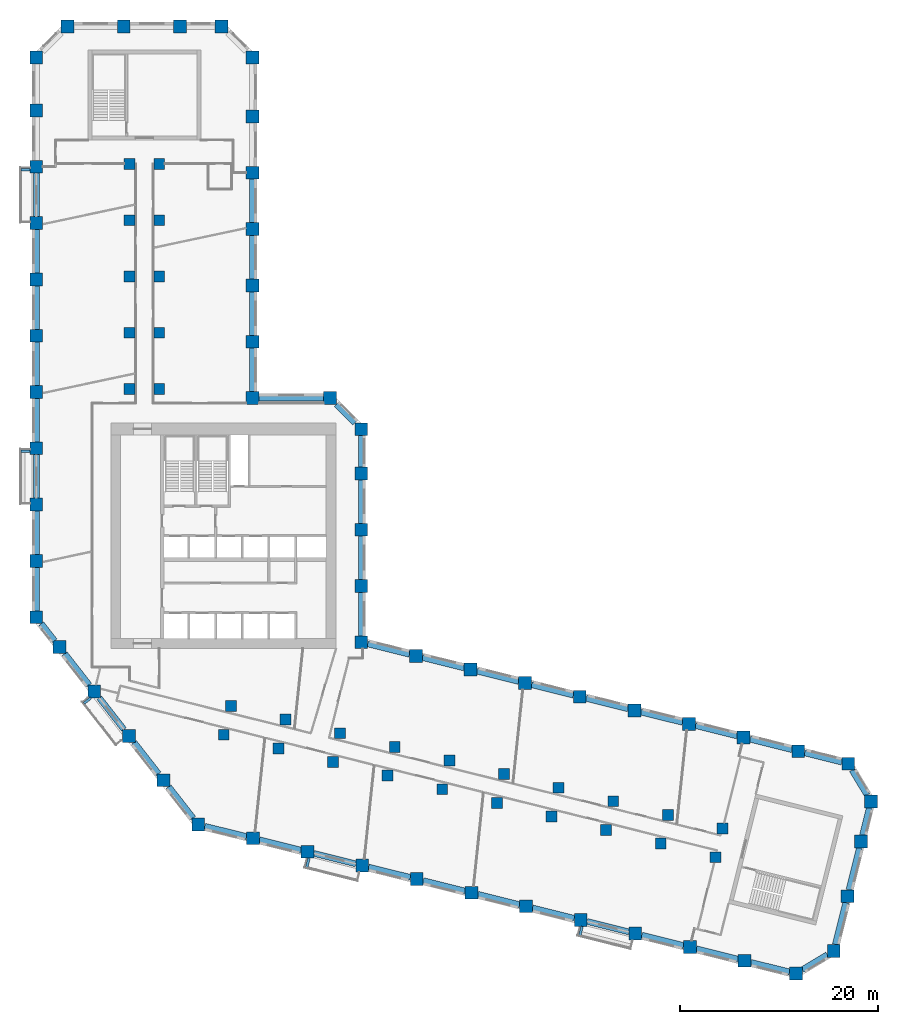
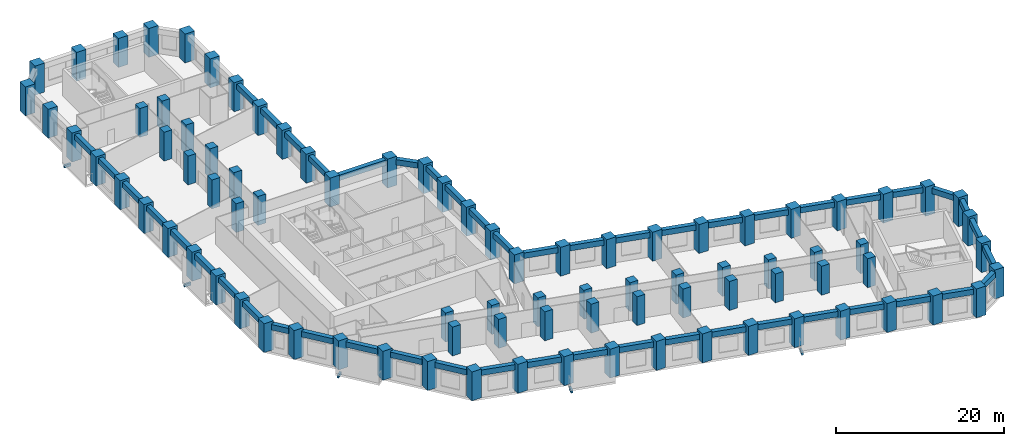
# One storey, part 1 of 11: 87 columns, 53 beams.
"""IFC4 building model written with IfcOpenShell, lengths in metres."""

from ifc_helpers import new_model, si_unit, direction, frame, origin, origin_2d, place, context, subcontext, project, spatial, rectangle, extrude, material, material_profile, profile_set, type_object, element, save


model = new_model("IFC4")

# Units and contexts
model_context = context("Model", 3, precision=1e-05, world=origin(), true_north=direction((0.0, 1.0)))
body_context = subcontext(model_context, "Body", "Model", "MODEL_VIEW")
ifc_project = project(units=[si_unit("LENGTHUNIT", "METRE"), si_unit("AREAUNIT", "SQUARE_METRE"), si_unit("VOLUMEUNIT", "CUBIC_METRE"), si_unit("PLANEANGLEUNIT", "RADIAN"), si_unit("MASSUNIT", "GRAM", prefix="KILO")], contexts=[model_context])

# Site, building, storey
site_placement = place(None, origin())
site = spatial("IfcSite", under=ifc_project, at=site_placement, CompositionType="ELEMENT")
building_placement = place(site_placement, origin())
building = spatial("IfcBuilding", under=site, at=building_placement, Name="Meshkara Civic Tower", CompositionType="ELEMENT")
storey_placement = place(building_placement, frame((0.0, 0.0, 143.39990234375)))
storey = spatial("IfcBuildingStorey", under=building, at=storey_placement, Name="L32", CompositionType="ELEMENT", Elevation=143.39990234375)

# Columns
ifc_material_1 = material(Name="Concrete C70", Category="concrete")
ifc_material_profile_1 = material_profile(ifc_material_1, rectangle(XDim=1.10009765625, YDim=1.10009765625, at=origin_2d()))
ifc_profile_set_1 = profile_set([ifc_material_profile_1], Name="Concrete C70")
column_type_1 = type_object("IfcColumnType", Name="Interior column RC 1100x1100 C70", PredefinedType="COLUMN", material=ifc_profile_set_1)
for number, where, z_axis, x_axis, name in (
    (1, (9.89990234375, 40.35009765625, 0.0), (0.0, 0.0, 1.0), (1.0, 0.0, 0.0), "Column SA1-04 L32"),
    (2, (9.89990234375, 46.050048828125, 0.0), (0.0, 0.0, 1.0), (1.0, 0.0, 0.0), "Column SA1-05 L32"),
    (3, (9.89990234375, 51.75, 0.0), (0.0, 0.0, 1.0), (1.0, 0.0, 0.0), "Column SA1-06 L32"),
    (4, (9.89990234375, 57.449951171875, 0.0), (0.0, 0.0, 1.0), (1.0, 0.0, 0.0), "Column SA1-07 L32"),
    (5, (9.89990234375, 63.14990234375, 0.0), (0.0, 0.0, 1.0), (1.0, 0.0, 0.0), "Column SA1-08 L32"),
    (6, (12.89990234375, 40.35009765625, 0.0), (0.0, 0.0, 1.0), (1.0, 0.0, 0.0), "Column SA2-04 L32"),
    (7, (12.89990234375, 46.050048828125, 0.0), (0.0, 0.0, 1.0), (1.0, 0.0, 0.0), "Column SA2-05 L32"),
    (8, (12.89990234375, 51.75, 0.0), (0.0, 0.0, 1.0), (1.0, 0.0, 0.0), "Column SA2-06 L32"),
    (9, (12.89990234375, 57.449951171875, 0.0), (0.0, 0.0, 1.0), (1.0, 0.0, 0.0), "Column SA2-07 L32"),
    (10, (12.89990234375, 63.14990234375, 0.0), (0.0, 0.0, 1.0), (1.0, 0.0, 0.0), "Column SA2-08 L32"),
    (11, (19.424072265625, 5.360107421875, 0.0), (0.0, 0.0, 1.0), (1.0, 0.0, 0.0), "Column SB1-00 L32"),
    (12, (24.9541015625, 3.98095703125, 0.0), (0.0, 0.0, 1.0), (1.0, 0.0, 0.0), "Column SB1-01 L32"),
    (13, (30.485107421875, 2.60205078125, 0.0), (0.0, 0.0, 1.0), (1.0, 0.0, 0.0), "Column SB1-02 L32"),
    (14, (36.01611328125, 1.222900390625, 0.0), (0.0, 0.0, 1.0), (1.0, 0.0, 0.0), "Column SB1-03 L32"),
    (15, (41.5458984375, -0.156005859375, 0.0), (0.0, 0.0, 1.0), (1.0, 0.0, 0.0), "Column SB1-04 L32"),
    (16, (47.076904296875, -1.534912109375, 0.0), (0.0, 0.0, 1.0), (1.0, 0.0, 0.0), "Column SB1-05 L32"),
    (17, (52.60791015625, -2.9140625, 0.0), (0.0, 0.0, 1.0), (1.0, 0.0, 0.0), "Column SB1-06 L32"),
    (18, (58.138916015625, -4.2919921875, 0.0), (0.0, 0.0, 1.0), (1.0, 0.0, 0.0), "Column SB1-07 L32"),
    (19, (63.6689453125, -5.6708984375, 0.0), (0.0, 0.0, 1.0), (1.0, 0.0, 0.0), "Column SB1-08 L32"),
    (20, (69.199951171875, -7.050048828125, 0.0), (0.0, 0.0, 1.0), (1.0, 0.0, 0.0), "Column SB1-09 L32"),
    (21, (20.14892578125, 8.27099609375, 0.0), (0.0, 0.0, 1.0), (1.0, 0.0, 0.0), "Column SB2-00 L32"),
    (22, (25.679931640625, 6.89208984375, 0.0), (0.0, 0.0, 1.0), (1.0, 0.0, 0.0), "Column SB2-01 L32"),
    (23, (31.2109375, 5.512939453125, 0.0), (0.0, 0.0, 1.0), (1.0, 0.0, 0.0), "Column SB2-02 L32"),
    (24, (36.741943359375, 4.134033203125, 0.0), (0.0, 0.0, 1.0), (1.0, 0.0, 0.0), "Column SB2-03 L32"),
    (25, (42.27197265625, 2.7548828125, 0.0), (0.0, 0.0, 1.0), (1.0, 0.0, 0.0), "Column SB2-04 L32"),
    (26, (47.802978515625, 1.3759765625, 0.0), (0.0, 0.0, 1.0), (1.0, 0.0, 0.0), "Column SB2-05 L32"),
    (27, (53.333984375, -0.0029296875, 0.0), (0.0, 0.0, 1.0), (1.0, 0.0, 0.0), "Column SB2-06 L32"),
    (28, (58.864013671875, -1.382080078125, 0.0), (0.0, 0.0, 1.0), (1.0, 0.0, 0.0), "Column SB2-07 L32"),
    (29, (64.39501953125, -2.760986328125, 0.0), (0.0, 0.0, 1.0), (1.0, 0.0, 0.0), "Column SB2-08 L32"),
    (30, (69.926025390625, -4.139892578125, 0.0), (0.0, 0.0, 1.0), (1.0, 0.0, 0.0), "Column SB2-09 L32"),
):
    element("IfcColumn", number, at=place(storey_placement, frame(where, z_axis=z_axis, x_axis=x_axis)), inside=storey, type_object=column_type_1, Name=name, PredefinedType="COLUMN", context=body_context, shape_type="SweptSolid", body=[
        extrude(rectangle(XDim=1.10009765625, YDim=1.10009765625, at=origin_2d()), origin(), (0.0, 0.0, 1.0), 4.2001953125),
    ])
ifc_material_2 = material(Name="Concrete C70", Category="concrete")
ifc_material_profile_2 = material_profile(ifc_material_2, rectangle(XDim=1.300048828125, YDim=1.300048828125, at=origin_2d()))
ifc_profile_set_2 = profile_set([ifc_material_profile_2], Name="Concrete C70")
column_type_2 = type_object("IfcColumnType", Name="Perimeter column RC 1300x1300 C70", PredefinedType="COLUMN", material=ifc_profile_set_2)
for number, where, z_axis, x_axis, name in (
    (31, (33.35009765625, 14.718994140625, 0.0), (0.0, 0.0, 1.0), (1.0, 0.0, 0.0), "Column HE00 L32"),
    (32, (33.35009765625, 20.4189453125, 0.0), (0.0, 0.0, 1.0), (1.0, 0.0, 0.0), "Column HE01 L32"),
    (33, (33.35009765625, 26.118896484375, 0.0), (0.0, 0.0, 1.0), (1.0, 0.0, 0.0), "Column HE02 L32"),
    (34, (33.35009765625, 31.819091796875, 0.0), (0.0, 0.0, 1.0), (1.0, 0.0, 0.0), "Column HE03 L32"),
    (35, (33.35009765625, 36.2939453125, 0.0), (0.0, 0.0, 1.0), (1.0, 0.0, 0.0), "Column HEE L32"),
    (36, (30.194091796875, 39.449951171875, 0.0), (0.0, 0.0, 1.0), (1.0, 0.0, 0.0), "Column HCeE L32"),
    (37, (22.35009765625, 39.449951171875, 0.0), (0.0, 0.0, 1.0), (1.0, 0.0, 0.0), "Column HN00 L32"),
    (38, (22.35009765625, 45.14990234375, 0.0), (0.0, 0.0, 1.0), (1.0, 0.0, 0.0), "Column AE01 L32"),
    (39, (22.35009765625, 50.85009765625, 0.0), (0.0, 0.0, 1.0), (1.0, 0.0, 0.0), "Column AE02 L32"),
    (40, (22.35009765625, 56.550048828125, 0.0), (0.0, 0.0, 1.0), (1.0, 0.0, 0.0), "Column AE03 L32"),
    (41, (22.35009765625, 62.25, 0.0), (0.0, 0.0, 1.0), (1.0, 0.0, 0.0), "Column AE04 L32"),
    (42, (22.35009765625, 67.949951171875, 0.0), (0.0, 0.0, 1.0), (1.0, 0.0, 0.0), "Column AE05 L32"),
    (43, (22.35009765625, 73.9140625, 0.0), (0.0, 0.0, 1.0), (1.0, 0.0, 0.0), "Column AEEP1 L32"),
    (44, (19.194091796875, 77.070068359375, 0.0), (0.0, 0.0, 1.0), (1.0, 0.0, 0.0), "Column ATiEP1 L32"),
    (45, (3.60595703125, 77.070068359375, 0.0), (0.0, 0.0, 1.0), (1.0, 0.0, 0.0), "Column AT00-P1 L32"),
    (46, (9.305908203125, 77.070068359375, 0.0), (0.0, 0.0, 1.0), (1.0, 0.0, 0.0), "Column AT01-P1 L32"),
    (47, (15.006103515625, 77.070068359375, 0.0), (0.0, 0.0, 1.0), (1.0, 0.0, 0.0), "Column AT02-P1 L32"),
    (48, (0.449951171875, 73.9140625, 0.0), (0.0, 0.0, 1.0), (1.0, 0.0, 0.0), "Column ATo00-P1 L32"),
    (49, (0.449951171875, 17.2548828125, 0.0), (0.0, 0.0, 1.0), (1.0, 0.0, 0.0), "Column AW00 L32"),
    (50, (0.449951171875, 22.955078125, 0.0), (0.0, 0.0, 1.0), (1.0, 0.0, 0.0), "Column AW01 L32"),
    (51, (0.449951171875, 28.655029296875, 0.0), (0.0, 0.0, 1.0), (1.0, 0.0, 0.0), "Column AW02 L32"),
    (52, (0.449951171875, 34.35498046875, 0.0), (0.0, 0.0, 1.0), (1.0, 0.0, 0.0), "Column AW03 L32"),
    (53, (0.449951171875, 40.054931640625, 0.0), (0.0, 0.0, 1.0), (1.0, 0.0, 0.0), "Column AW04 L32"),
    (54, (0.449951171875, 45.7548828125, 0.0), (0.0, 0.0, 1.0), (1.0, 0.0, 0.0), "Column AW05 L32"),
    (55, (0.449951171875, 51.455078125, 0.0), (0.0, 0.0, 1.0), (1.0, 0.0, 0.0), "Column AW06 L32"),
    (56, (0.449951171875, 57.155029296875, 0.0), (0.0, 0.0, 1.0), (1.0, 0.0, 0.0), "Column AW07 L32"),
    (57, (0.449951171875, 62.85498046875, 0.0), (0.0, 0.0, 1.0), (1.0, 0.0, 0.0), "Column AW08 L32"),
    (58, (0.449951171875, 68.554931640625, 0.0), (0.0, 0.0, 1.0), (1.0, 0.0, 0.0), "Column AW09 L32"),
    (59, (16.85107421875, -3.738037109375, 0.0), (0.0, 0.0, 1.0), (1.0, 0.0, 0.0), "Column BOW00 L32"),
    (60, (13.342041015625, 0.75390625, 0.0), (0.0, 0.0, 1.0), (1.0, 0.0, 0.0), "Column BOW01 L32"),
    (61, (9.8330078125, 5.2451171875, 0.0), (0.0, 0.0, 1.0), (1.0, 0.0, 0.0), "Column BOW02 L32"),
    (62, (6.322998046875, 9.737060546875, 0.0), (0.0, 0.0, 1.0), (1.0, 0.0, 0.0), "Column BOW03 L32"),
    (63, (2.81396484375, 14.22900390625, 0.0), (0.0, 0.0, 1.0), (1.0, 0.0, 0.0), "Column BOW04 L32"),
    (64, (22.382080078125, -5.116943359375, 0.0), (0.0, 0.0, 1.0), (1.0, 0.0, 0.0), "Column BS01 L32"),
    (65, (27.912109375, -6.49609375, 0.0), (0.0, 0.0, 1.0), (1.0, 0.0, 0.0), "Column BS02 L32"),
    (66, (33.443115234375, -7.875, 0.0), (0.0, 0.0, 1.0), (1.0, 0.0, 0.0), "Column BS03 L32"),
    (67, (38.97412109375, -9.2529296875, 0.0), (0.0, 0.0, 1.0), (1.0, 0.0, 0.0), "Column BS04-P1 L32"),
    (68, (44.5048828125, -10.632080078125, 0.0), (0.0, 0.0, 1.0), (1.0, 0.0, 0.0), "Column BS05 L32"),
    (69, (50.034912109375, -12.010986328125, 0.0), (0.0, 0.0, 1.0), (1.0, 0.0, 0.0), "Column BS06 L32"),
    (70, (55.56591796875, -13.389892578125, 0.0), (0.0, 0.0, 1.0), (1.0, 0.0, 0.0), "Column BS07 L32"),
    (71, (61.096923828125, -14.76904296875, 0.0), (0.0, 0.0, 1.0), (1.0, 0.0, 0.0), "Column BS08 L32"),
    (72, (66.626953125, -16.14794921875, 0.0), (0.0, 0.0, 1.0), (1.0, 0.0, 0.0), "Column BS09 L32"),
    (73, (72.157958984375, -17.527099609375, 0.0), (0.0, 0.0, 1.0), (1.0, 0.0, 0.0), "Column BS10 L32"),
    (74, (77.35791015625, -18.822998046875, 0.0), (0.0, 0.0, 1.0), (1.0, 0.0, 0.0), "Column BSEP1 L32"),
    (75, (81.18310546875, -16.52392578125, 0.0), (0.0, 0.0, 1.0), (1.0, 0.0, 0.0), "Column BToEP1 L32"),
    (76, (82.56201171875, -10.992919921875, 0.0), (0.0, 0.0, 1.0), (1.0, 0.0, 0.0), "Column BT01-P1 L32"),
    (77, (83.94091796875, -5.462890625, 0.0), (0.0, 0.0, 1.0), (1.0, 0.0, 0.0), "Column BT02-P1 L32"),
    (78, (84.9541015625, -1.39990234375, 0.0), (0.0, 0.0, 1.0), (1.0, 0.0, 0.0), "Column BTEP1 L32"),
    (79, (82.655029296875, 2.425048828125, 0.0), (0.0, 0.0, 1.0), (1.0, 0.0, 0.0), "Column BTi00-P1 L32"),
    (80, (38.881103515625, 13.340087890625, 0.0), (0.0, 0.0, 1.0), (1.0, 0.0, 0.0), "Column BN01 L32"),
    (81, (44.410888671875, 11.9609375, 0.0), (0.0, 0.0, 1.0), (1.0, 0.0, 0.0), "Column BN02 L32"),
    (82, (49.94189453125, 10.58203125, 0.0), (0.0, 0.0, 1.0), (1.0, 0.0, 0.0), "Column BN03 L32"),
    (83, (55.472900390625, 9.202880859375, 0.0), (0.0, 0.0, 1.0), (1.0, 0.0, 0.0), "Column BN04 L32"),
    (84, (61.0029296875, 7.823974609375, 0.0), (0.0, 0.0, 1.0), (1.0, 0.0, 0.0), "Column BN05 L32"),
    (85, (66.533935546875, 6.445068359375, 0.0), (0.0, 0.0, 1.0), (1.0, 0.0, 0.0), "Column BN06 L32"),
    (86, (72.06494140625, 5.06591796875, 0.0), (0.0, 0.0, 1.0), (1.0, 0.0, 0.0), "Column BN07 L32"),
    (87, (77.594970703125, 3.68701171875, 0.0), (0.0, 0.0, 1.0), (1.0, 0.0, 0.0), "Column BN08 L32"),
):
    element("IfcColumn", number, at=place(storey_placement, frame(where, z_axis=z_axis, x_axis=x_axis)), inside=storey, type_object=column_type_2, Name=name, PredefinedType="COLUMN", context=body_context, shape_type="SweptSolid", body=[
        extrude(rectangle(XDim=1.300048828125, YDim=1.300048828125, at=origin_2d()), origin(), (0.0, 0.0, 1.0), 4.2001953125),
    ])

# Beams
ifc_material_3 = material(Name="Concrete C50", Category="concrete")
ifc_material_profile_3 = material_profile(ifc_material_3, rectangle(XDim=0.25, YDim=0.39990234375, at=origin_2d()))
ifc_profile_set_3 = profile_set([ifc_material_profile_3], Name="Concrete C50")
beam_type_1 = type_object("IfcBeamType", Name="Balcony bracket beam RC 250x400 C50", PredefinedType="BEAM", material=ifc_profile_set_3)
for number, where, z_axis, x_axis, name in (
    (88, (-0.195068359375, 62.554931640625, -0.5), (-1.0, 0.0, 0.0), (0.0, -1.0, 0.0), "Balcony bracket beam"),
    (89, (-0.195068359375, 34.054931640625, -0.5), (-1.0, 0.0, 0.0), (0.0, -1.0, 0.0), "Balcony bracket beam"),
):
    element("IfcBeam", number, at=place(storey_placement, frame(where, z_axis=z_axis, x_axis=x_axis)), inside=storey, type_object=beam_type_1, Name=name, PredefinedType="BEAM", context=body_context, shape_type="SweptSolid", body=[
        extrude(rectangle(XDim=0.25, YDim=0.39990234375, at=origin_2d()), origin(), (0.0, 0.0, 1.0), 0.905029296875),
    ])
beam_1_placement = place(storey_placement, frame((5.98193359375, 9.090087890625, -0.5), z_axis=(-0.787948814224, -0.615740745901, 0.0), x_axis=(0.615740745901, -0.787948814224, 0.0)))
element("IfcBeam", 90, at=beam_1_placement, inside=storey, type_object=beam_type_1, Name="Balcony bracket beam", PredefinedType="BEAM", context=body_context, shape_type="SweptSolid", body=[
    extrude(rectangle(XDim=0.25, YDim=0.39990234375, at=origin_2d()), origin(), (0.0, 0.0, 1.0), 0.8818359375),
])
beam_2_placement = place(storey_placement, frame((28.06005859375, -7.14111328125, -0.5), z_axis=(-0.24199671944, -0.970277067533, 0.0), x_axis=(0.970277067533, -0.24199671944, 0.0)))
element("IfcBeam", 91, at=beam_2_placement, inside=storey, type_object=beam_type_1, Name="Balcony bracket beam", PredefinedType="BEAM", context=body_context, shape_type="SweptSolid", body=[
    extrude(rectangle(XDim=0.25, YDim=0.39990234375, at=origin_2d()), origin(), (0.0, 0.0, 1.0), 0.95947265625),
])
beam_3_placement = place(storey_placement, frame((55.714111328125, -14.034912109375, -0.5), z_axis=(-0.24169832891, -0.970351440357, 0.0), x_axis=(0.970351440357, -0.24169832891, 0.0)))
element("IfcBeam", 92, at=beam_3_placement, inside=storey, type_object=beam_type_1, Name="Balcony bracket beam", PredefinedType="BEAM", context=body_context, shape_type="SweptSolid", body=[
    extrude(rectangle(XDim=0.25, YDim=0.39990234375, at=origin_2d()), origin(), (0.0, 0.0, 1.0), 0.960693359375),
])
ifc_material_4 = material(Name="Concrete C70", Category="concrete")
ifc_material_profile_4 = material_profile(ifc_material_4, rectangle(XDim=0.60009765625, YDim=0.800048828125, at=origin_2d()))
ifc_profile_set_4 = profile_set([ifc_material_profile_4], Name="Concrete C70")
beam_type_2 = type_object("IfcBeamType", Name="Spandrel beam RC 600x800 C70", PredefinedType="BEAM", material=ifc_profile_set_4)
beam_4_placement = place(storey_placement, frame((76.949951171875, 3.847900390625, 3.5), z_axis=(-0.970293497888, 0.241930832999, 0.0), x_axis=(-0.241930832999, -0.970293497888, 0.0)))
element("IfcBeam", 93, at=beam_4_placement, inside=storey, type_object=beam_type_2, Name="Spandrel beam BN07-BN08", PredefinedType="BEAM", context=body_context, shape_type="SweptSolid", body=[
    extrude(rectangle(XDim=0.60009765625, YDim=0.800048828125, at=origin_2d()), origin(), (0.0, 0.0, 1.0), 4.36962890625),
])
for number, where, z_axis, x_axis, name in (
    (94, (71.419921875, 5.226806640625, 3.5), (-0.970293463154, 0.241930972304, 0.0), (-0.241930972304, -0.970293463154, 0.0), "Spandrel beam BN06-BN07"),
    (95, (65.888916015625, 6.605712890625, 3.5), (-0.970293463154, 0.241930972304, 0.0), (-0.241930972304, -0.970293463154, 0.0), "Spandrel beam BN05-BN06"),
):
    element("IfcBeam", number, at=place(storey_placement, frame(where, z_axis=z_axis, x_axis=x_axis)), inside=storey, type_object=beam_type_2, Name=name, PredefinedType="BEAM", context=body_context, shape_type="SweptSolid", body=[
        extrude(rectangle(XDim=0.60009765625, YDim=0.800048828125, at=origin_2d()), origin(), (0.0, 0.0, 1.0), 4.37060546875),
    ])
beam_5_placement = place(storey_placement, frame((60.35791015625, 7.98486328125, 3.5), z_axis=(-0.970293497888, 0.241930832999, 0.0), x_axis=(-0.241930832999, -0.970293497888, 0.0)))
element("IfcBeam", 96, at=beam_5_placement, inside=storey, type_object=beam_type_2, Name="Spandrel beam BN04-BN05", PredefinedType="BEAM", context=body_context, shape_type="SweptSolid", body=[
    extrude(rectangle(XDim=0.60009765625, YDim=0.800048828125, at=origin_2d()), origin(), (0.0, 0.0, 1.0), 4.36962890625),
])
for number, where, z_axis, x_axis, name in (
    (97, (54.827880859375, 9.36376953125, 3.5), (-0.970293463154, 0.241930972304, 0.0), (-0.241930972304, -0.970293463154, 0.0), "Spandrel beam BN03-BN04"),
    (98, (49.296875, 10.742919921875, 3.5), (-0.970293463154, 0.241930972304, 0.0), (-0.241930972304, -0.970293463154, 0.0), "Spandrel beam BN02-BN03"),
):
    element("IfcBeam", number, at=place(storey_placement, frame(where, z_axis=z_axis, x_axis=x_axis)), inside=storey, type_object=beam_type_2, Name=name, PredefinedType="BEAM", context=body_context, shape_type="SweptSolid", body=[
        extrude(rectangle(XDim=0.60009765625, YDim=0.800048828125, at=origin_2d()), origin(), (0.0, 0.0, 1.0), 4.37060546875),
    ])
beam_6_placement = place(storey_placement, frame((43.765869140625, 12.121826171875, 3.5), z_axis=(-0.970280380753, 0.241983434817, 0.0), x_axis=(-0.241983434817, -0.970280380753, 0.0)))
element("IfcBeam", 99, at=beam_6_placement, inside=storey, type_object=beam_type_2, Name="Spandrel beam BN01-BN02", PredefinedType="BEAM", context=body_context, shape_type="SweptSolid", body=[
    extrude(rectangle(XDim=0.60009765625, YDim=0.800048828125, at=origin_2d()), origin(), (0.0, 0.0, 1.0), 4.36962890625),
])
beam_7_placement = place(storey_placement, frame((38.23583984375, 13.500732421875, 3.5), z_axis=(-0.970293463154, 0.241930972304, 0.0), x_axis=(-0.241930972304, -0.970293463154, 0.0)))
element("IfcBeam", 100, at=beam_7_placement, inside=storey, type_object=beam_type_2, Name="Spandrel beam BN01-HE00", PredefinedType="BEAM", context=body_context, shape_type="SweptSolid", body=[
    extrude(rectangle(XDim=0.60009765625, YDim=0.800048828125, at=origin_2d()), origin(), (0.0, 0.0, 1.0), 4.37060546875),
])
beam_8_placement = place(storey_placement, frame((33.35009765625, 15.364013671875, 3.5), z_axis=(0.0, 1.0, 0.0), x_axis=(-1.0, 0.0, 0.0)))
element("IfcBeam", 101, at=beam_8_placement, inside=storey, type_object=beam_type_2, Name="Spandrel beam HE00-HE01", PredefinedType="BEAM", context=body_context, shape_type="SweptSolid", body=[
    extrude(rectangle(XDim=0.60009765625, YDim=0.800048828125, at=origin_2d()), origin(), (0.0, 0.0, 1.0), 4.409912109375),
])
for number, where, z_axis, x_axis, name in (
    (102, (33.35009765625, 21.06396484375, 3.5), (0.0, 1.0, 0.0), (-1.0, 0.0, 0.0), "Spandrel beam HE01-HE02"),
    (103, (33.35009765625, 26.763916015625, 3.5), (0.0, 1.0, 0.0), (-1.0, 0.0, 0.0), "Spandrel beam HE02-HE03"),
):
    element("IfcBeam", number, at=place(storey_placement, frame(where, z_axis=z_axis, x_axis=x_axis)), inside=storey, type_object=beam_type_2, Name=name, PredefinedType="BEAM", context=body_context, shape_type="SweptSolid", body=[
        extrude(rectangle(XDim=0.60009765625, YDim=0.800048828125, at=origin_2d()), origin(), (0.0, 0.0, 1.0), 4.41015625),
    ])
beam_9_placement = place(storey_placement, frame((33.35009765625, 32.464111328125, 3.5), z_axis=(0.0, 1.0, 0.0), x_axis=(-1.0, 0.0, 0.0)))
element("IfcBeam", 104, at=beam_9_placement, inside=storey, type_object=beam_type_2, Name="Spandrel beam HE03-HEE", PredefinedType="BEAM", context=body_context, shape_type="SweptSolid", body=[
    extrude(rectangle(XDim=0.60009765625, YDim=0.800048828125, at=origin_2d()), origin(), (0.0, 0.0, 1.0), 3.184814453125),
])
beam_10_placement = place(storey_placement, frame((32.70361328125, 36.9404296875, 3.5), z_axis=(-0.707106781187, 0.707106781187, 0.0), x_axis=(-0.707106781187, -0.707106781187, 0.0)))
element("IfcBeam", 105, at=beam_10_placement, inside=storey, type_object=beam_type_2, Name="Spandrel beam HCeE-HEE", PredefinedType="BEAM", context=body_context, shape_type="SweptSolid", body=[
    extrude(rectangle(XDim=0.60009765625, YDim=0.800048828125, at=origin_2d()), origin(), (0.0, 0.0, 1.0), 2.634765625),
])
beam_11_placement = place(storey_placement, frame((29.549072265625, 39.449951171875, 3.5), z_axis=(-1.0, 0.0, 0.0), x_axis=(0.0, -1.0, 0.0)))
element("IfcBeam", 106, at=beam_11_placement, inside=storey, type_object=beam_type_2, Name="Spandrel beam HCeE-HN00", PredefinedType="BEAM", context=body_context, shape_type="SweptSolid", body=[
    extrude(rectangle(XDim=0.60009765625, YDim=0.800048828125, at=origin_2d()), origin(), (0.0, 0.0, 1.0), 6.553955078125),
])
beam_12_placement = place(storey_placement, frame((22.35009765625, 40.094970703125, 3.5), z_axis=(0.0, 1.0, 0.0), x_axis=(-1.0, 0.0, 0.0)))
element("IfcBeam", 107, at=beam_12_placement, inside=storey, type_object=beam_type_2, Name="Spandrel beam AE01-HN00", PredefinedType="BEAM", context=body_context, shape_type="SweptSolid", body=[
    extrude(rectangle(XDim=0.60009765625, YDim=0.800048828125, at=origin_2d()), origin(), (0.0, 0.0, 1.0), 4.409912109375),
])
beam_13_placement = place(storey_placement, frame((22.35009765625, 45.794921875, 3.5), z_axis=(0.0, 1.0, 0.0), x_axis=(-1.0, 0.0, 0.0)))
element("IfcBeam", 108, at=beam_13_placement, inside=storey, type_object=beam_type_2, Name="Spandrel beam AE01-AE02", PredefinedType="BEAM", context=body_context, shape_type="SweptSolid", body=[
    extrude(rectangle(XDim=0.60009765625, YDim=0.800048828125, at=origin_2d()), origin(), (0.0, 0.0, 1.0), 4.41015625),
])
for number, where, z_axis, x_axis, name in (
    (109, (22.35009765625, 51.4951171875, 3.5), (0.0, 1.0, 0.0), (-1.0, 0.0, 0.0), "Spandrel beam AE02-AE03"),
    (110, (22.35009765625, 57.195068359375, 3.5), (0.0, 1.0, 0.0), (-1.0, 0.0, 0.0), "Spandrel beam AE03-AE04"),
    (111, (0.449951171875, 62.2099609375, 3.5), (0.0, -1.0, 0.0), (1.0, 0.0, 0.0), "Spandrel beam AW07-AW08"),
    (112, (0.449951171875, 56.510009765625, 3.5), (0.0, -1.0, 0.0), (1.0, 0.0, 0.0), "Spandrel beam AW06-AW07"),
):
    element("IfcBeam", number, at=place(storey_placement, frame(where, z_axis=z_axis, x_axis=x_axis)), inside=storey, type_object=beam_type_2, Name=name, PredefinedType="BEAM", context=body_context, shape_type="SweptSolid", body=[
        extrude(rectangle(XDim=0.60009765625, YDim=0.800048828125, at=origin_2d()), origin(), (0.0, 0.0, 1.0), 4.409912109375),
    ])
for number, where, z_axis, x_axis, name in (
    (113, (0.449951171875, 50.81005859375, 3.5), (0.0, -1.0, 0.0), (1.0, 0.0, 0.0), "Spandrel beam AW05-AW06"),
    (114, (0.449951171875, 45.110107421875, 3.5), (0.0, -1.0, 0.0), (1.0, 0.0, 0.0), "Spandrel beam AW04-AW05"),
):
    element("IfcBeam", number, at=place(storey_placement, frame(where, z_axis=z_axis, x_axis=x_axis)), inside=storey, type_object=beam_type_2, Name=name, PredefinedType="BEAM", context=body_context, shape_type="SweptSolid", body=[
        extrude(rectangle(XDim=0.60009765625, YDim=0.800048828125, at=origin_2d()), origin(), (0.0, 0.0, 1.0), 4.41015625),
    ])
for number, where, z_axis, x_axis, name in (
    (115, (0.449951171875, 39.409912109375, 3.5), (0.0, -1.0, 0.0), (1.0, 0.0, 0.0), "Spandrel beam AW03-AW04"),
    (116, (0.449951171875, 33.7099609375, 3.5), (0.0, -1.0, 0.0), (1.0, 0.0, 0.0), "Spandrel beam AW02-AW03"),
    (117, (0.449951171875, 28.010009765625, 3.5), (0.0, -1.0, 0.0), (1.0, 0.0, 0.0), "Spandrel beam AW01-AW02"),
):
    element("IfcBeam", number, at=place(storey_placement, frame(where, z_axis=z_axis, x_axis=x_axis)), inside=storey, type_object=beam_type_2, Name=name, PredefinedType="BEAM", context=body_context, shape_type="SweptSolid", body=[
        extrude(rectangle(XDim=0.60009765625, YDim=0.800048828125, at=origin_2d()), origin(), (0.0, 0.0, 1.0), 4.409912109375),
    ])
beam_14_placement = place(storey_placement, frame((0.449951171875, 22.31005859375, 3.5), z_axis=(0.0, -1.0, 0.0), x_axis=(1.0, 0.0, 0.0)))
element("IfcBeam", 118, at=beam_14_placement, inside=storey, type_object=beam_type_2, Name="Spandrel beam AW00-AW01", PredefinedType="BEAM", context=body_context, shape_type="SweptSolid", body=[
    extrude(rectangle(XDim=0.60009765625, YDim=0.800048828125, at=origin_2d()), origin(), (0.0, 0.0, 1.0), 4.41015625),
])
beam_15_placement = place(storey_placement, frame((0.95458984375, 16.60888671875, 3.5), z_axis=(0.61568279769, -0.787994094286, 0.0), x_axis=(0.787994094286, 0.61568279769, 0.0)))
element("IfcBeam", 119, at=beam_15_placement, inside=storey, type_object=beam_type_2, Name="Spandrel beam AW00-BOW04", PredefinedType="BEAM", context=body_context, shape_type="SweptSolid", body=[
    extrude(rectangle(XDim=0.60009765625, YDim=0.800048828125, at=origin_2d()), origin(), (0.0, 0.0, 1.0), 2.200439453125),
])
beam_16_placement = place(storey_placement, frame((3.318603515625, 13.5830078125, 3.5), z_axis=(0.615612539127, -0.788048984309, 0.0), x_axis=(0.788048984309, 0.615612539127, 0.0)))
element("IfcBeam", 120, at=beam_16_placement, inside=storey, type_object=beam_type_2, Name="Spandrel beam BOW03-BOW04", PredefinedType="BEAM", context=body_context, shape_type="SweptSolid", body=[
    extrude(rectangle(XDim=0.60009765625, YDim=0.800048828125, at=origin_2d()), origin(), (0.0, 0.0, 1.0), 4.060546875),
])
beam_17_placement = place(storey_placement, frame((6.827880859375, 9.0908203125, 3.5), z_axis=(0.615716376188, -0.787967857272, 0.0), x_axis=(0.787967857272, 0.615716376188, 0.0)))
element("IfcBeam", 121, at=beam_17_placement, inside=storey, type_object=beam_type_2, Name="Spandrel beam BOW02-BOW03", PredefinedType="BEAM", context=body_context, shape_type="SweptSolid", body=[
    extrude(rectangle(XDim=0.60009765625, YDim=0.800048828125, at=origin_2d()), origin(), (0.0, 0.0, 1.0), 4.060791015625),
])
beam_18_placement = place(storey_placement, frame((10.337890625, 4.598876953125, 3.5), z_axis=(0.61568372316, -0.787993371188, 0.0), x_axis=(0.787993371188, 0.61568372316, 0.0)))
element("IfcBeam", 122, at=beam_18_placement, inside=storey, type_object=beam_type_2, Name="Spandrel beam BOW01-BOW02", PredefinedType="BEAM", context=body_context, shape_type="SweptSolid", body=[
    extrude(rectangle(XDim=0.60009765625, YDim=0.800048828125, at=origin_2d()), origin(), (0.0, 0.0, 1.0), 4.059326171875),
])
beam_19_placement = place(storey_placement, frame((13.8466796875, 0.10791015625, 3.5), z_axis=(0.615604368214, -0.78805536724, 0.0), x_axis=(0.78805536724, 0.615604368214, 0.0)))
element("IfcBeam", 123, at=beam_19_placement, inside=storey, type_object=beam_type_2, Name="Spandrel beam BOW00-BOW01", PredefinedType="BEAM", context=body_context, shape_type="SweptSolid", body=[
    extrude(rectangle(XDim=0.60009765625, YDim=0.800048828125, at=origin_2d()), origin(), (0.0, 0.0, 1.0), 4.060302734375),
])
beam_20_placement = place(storey_placement, frame((17.49609375, -3.898681640625, 3.5), z_axis=(0.970280349033, -0.241983562004, 0.0), x_axis=(0.241983562004, 0.970280349033, 0.0)))
element("IfcBeam", 124, at=beam_20_placement, inside=storey, type_object=beam_type_2, Name="Spandrel beam BOW00-BS01", PredefinedType="BEAM", context=body_context, shape_type="SweptSolid", body=[
    extrude(rectangle(XDim=0.60009765625, YDim=0.800048828125, at=origin_2d()), origin(), (0.0, 0.0, 1.0), 4.37060546875),
])
beam_21_placement = place(storey_placement, frame((23.027099609375, -5.27783203125, 3.5), z_axis=(0.970280380753, -0.241983434817, 0.0), x_axis=(0.241983434817, 0.970280380753, 0.0)))
element("IfcBeam", 125, at=beam_21_placement, inside=storey, type_object=beam_type_2, Name="Spandrel beam BS01-BS02", PredefinedType="BEAM", context=body_context, shape_type="SweptSolid", body=[
    extrude(rectangle(XDim=0.60009765625, YDim=0.800048828125, at=origin_2d()), origin(), (0.0, 0.0, 1.0), 4.36962890625),
])
beam_22_placement = place(storey_placement, frame((28.55712890625, -6.65673828125, 3.5), z_axis=(0.970293463154, -0.241930972304, 0.0), x_axis=(0.241930972304, 0.970293463154, 0.0)))
element("IfcBeam", 126, at=beam_22_placement, inside=storey, type_object=beam_type_2, Name="Spandrel beam BS02-BS03", PredefinedType="BEAM", context=body_context, shape_type="SweptSolid", body=[
    extrude(rectangle(XDim=0.60009765625, YDim=0.800048828125, at=origin_2d()), origin(), (0.0, 0.0, 1.0), 4.37060546875),
])
beam_23_placement = place(storey_placement, frame((34.088134765625, -8.03564453125, 3.5), z_axis=(0.97033279054, -0.241773190412, 0.0), x_axis=(0.241773190412, 0.97033279054, 0.0)))
element("IfcBeam", 127, at=beam_23_placement, inside=storey, type_object=beam_type_2, Name="Spandrel beam BS03-BS04-P1", PredefinedType="BEAM", context=body_context, shape_type="SweptSolid", body=[
    extrude(rectangle(XDim=0.60009765625, YDim=0.800048828125, at=origin_2d()), origin(), (0.0, 0.0, 1.0), 4.370361328125),
])
beam_24_placement = place(storey_placement, frame((39.619140625, -9.413818359375, 3.5), z_axis=(0.970293463154, -0.241930972304, 0.0), x_axis=(0.241930972304, 0.970293463154, 0.0)))
element("IfcBeam", 128, at=beam_24_placement, inside=storey, type_object=beam_type_2, Name="Spandrel beam BS04-P1-BS05", PredefinedType="BEAM", context=body_context, shape_type="SweptSolid", body=[
    extrude(rectangle(XDim=0.60009765625, YDim=0.800048828125, at=origin_2d()), origin(), (0.0, 0.0, 1.0), 4.37060546875),
])
beam_25_placement = place(storey_placement, frame((45.150146484375, -10.79296875, 3.5), z_axis=(0.970293497888, -0.241930832999, 0.0), x_axis=(0.241930832999, 0.970293497888, 0.0)))
element("IfcBeam", 129, at=beam_25_placement, inside=storey, type_object=beam_type_2, Name="Spandrel beam BS05-BS06", PredefinedType="BEAM", context=body_context, shape_type="SweptSolid", body=[
    extrude(rectangle(XDim=0.60009765625, YDim=0.800048828125, at=origin_2d()), origin(), (0.0, 0.0, 1.0), 4.36962890625),
])
for number, where, z_axis, x_axis, name in (
    (130, (50.68017578125, -12.171875, 3.5), (0.970293463154, -0.241930972304, 0.0), (0.241930972304, 0.970293463154, 0.0), "Spandrel beam BS06-BS07"),
    (131, (56.211181640625, -13.55078125, 3.5), (0.970293463154, -0.241930972304, 0.0), (0.241930972304, 0.970293463154, 0.0), "Spandrel beam BS07-BS08"),
):
    element("IfcBeam", number, at=place(storey_placement, frame(where, z_axis=z_axis, x_axis=x_axis)), inside=storey, type_object=beam_type_2, Name=name, PredefinedType="BEAM", context=body_context, shape_type="SweptSolid", body=[
        extrude(rectangle(XDim=0.60009765625, YDim=0.800048828125, at=origin_2d()), origin(), (0.0, 0.0, 1.0), 4.37060546875),
    ])
beam_26_placement = place(storey_placement, frame((61.7421875, -14.929931640625, 3.5), z_axis=(0.970293497888, -0.241930832999, 0.0), x_axis=(0.241930832999, 0.970293497888, 0.0)))
element("IfcBeam", 132, at=beam_26_placement, inside=storey, type_object=beam_type_2, Name="Spandrel beam BS08-BS09", PredefinedType="BEAM", context=body_context, shape_type="SweptSolid", body=[
    extrude(rectangle(XDim=0.60009765625, YDim=0.800048828125, at=origin_2d()), origin(), (0.0, 0.0, 1.0), 4.36962890625),
])
beam_27_placement = place(storey_placement, frame((67.272216796875, -16.308837890625, 3.5), z_axis=(0.970293463154, -0.241930972304, 0.0), x_axis=(0.241930972304, 0.970293463154, 0.0)))
element("IfcBeam", 133, at=beam_27_placement, inside=storey, type_object=beam_type_2, Name="Spandrel beam BS09-BS10", PredefinedType="BEAM", context=body_context, shape_type="SweptSolid", body=[
    extrude(rectangle(XDim=0.60009765625, YDim=0.800048828125, at=origin_2d()), origin(), (0.0, 0.0, 1.0), 4.37060546875),
])
beam_28_placement = place(storey_placement, frame((72.802978515625, -17.687744140625, 3.5), z_axis=(0.970323993045, -0.241808495551, 0.0), x_axis=(0.241808495551, 0.970323993045, 0.0)))
element("IfcBeam", 134, at=beam_28_placement, inside=storey, type_object=beam_type_2, Name="Spandrel beam BS10-BSEP1", PredefinedType="BEAM", context=body_context, shape_type="SweptSolid", body=[
    extrude(rectangle(XDim=0.60009765625, YDim=0.800048828125, at=origin_2d()), origin(), (0.0, 0.0, 1.0), 4.029541015625),
])
beam_29_placement = place(storey_placement, frame((78.003662109375, -18.434814453125, 3.5), z_axis=(0.857121046107, 0.515115047655, 0.0), x_axis=(-0.515115047655, 0.857121046107, 0.0)))
element("IfcBeam", 135, at=beam_29_placement, inside=storey, type_object=beam_type_2, Name="Spandrel beam BSEP1-BToEP1", PredefinedType="BEAM", context=body_context, shape_type="SweptSolid", body=[
    extrude(rectangle(XDim=0.60009765625, YDim=0.800048828125, at=origin_2d()), origin(), (0.0, 0.0, 1.0), 2.9560546875),
])
beam_30_placement = place(storey_placement, frame((81.34375, -15.87890625, 3.5), z_axis=(0.241930972304, 0.970293463154, 0.0), x_axis=(-0.970293463154, 0.241930972304, 0.0)))
element("IfcBeam", 136, at=beam_30_placement, inside=storey, type_object=beam_type_2, Name="Spandrel beam BT01-P1-BToEP1", PredefinedType="BEAM", context=body_context, shape_type="SweptSolid", body=[
    extrude(rectangle(XDim=0.60009765625, YDim=0.800048828125, at=origin_2d()), origin(), (0.0, 0.0, 1.0), 4.37060546875),
])
beam_31_placement = place(storey_placement, frame((82.722900390625, -10.347900390625, 3.5), z_axis=(0.241930832999, 0.970293497888, 0.0), x_axis=(-0.970293497888, 0.241930832999, 0.0)))
element("IfcBeam", 137, at=beam_31_placement, inside=storey, type_object=beam_type_2, Name="Spandrel beam BT01-P1-BT02-P1", PredefinedType="BEAM", context=body_context, shape_type="SweptSolid", body=[
    extrude(rectangle(XDim=0.60009765625, YDim=0.800048828125, at=origin_2d()), origin(), (0.0, 0.0, 1.0), 4.36962890625),
])
beam_32_placement = place(storey_placement, frame((84.101806640625, -4.81787109375, 3.5), z_axis=(0.241952611346, 0.970288067464, 0.0), x_axis=(-0.970288067464, 0.241952611346, 0.0)))
element("IfcBeam", 138, at=beam_32_placement, inside=storey, type_object=beam_type_2, Name="Spandrel beam BT02-P1-BTEP1", PredefinedType="BEAM", context=body_context, shape_type="SweptSolid", body=[
    extrude(rectangle(XDim=0.60009765625, YDim=0.800048828125, at=origin_2d()), origin(), (0.0, 0.0, 1.0), 2.857666015625),
])
beam_33_placement = place(storey_placement, frame((84.56591796875, -0.75439453125, 3.5), z_axis=(-0.515115047655, 0.857121046107, 0.0), x_axis=(-0.857121046107, -0.515115047655, 0.0)))
element("IfcBeam", 139, at=beam_33_placement, inside=storey, type_object=beam_type_2, Name="Spandrel beam BTEP1-BTi00-P1", PredefinedType="BEAM", context=body_context, shape_type="SweptSolid", body=[
    extrude(rectangle(XDim=0.60009765625, YDim=0.800048828125, at=origin_2d()), origin(), (0.0, 0.0, 1.0), 2.9560546875),
])
beam_34_placement = place(storey_placement, frame((82.010009765625, 2.5859375, 3.5), z_axis=(-0.970282789967, 0.241973774392, 0.0), x_axis=(-0.241973774392, -0.970282789967, 0.0)))
element("IfcBeam", 140, at=beam_34_placement, inside=storey, type_object=beam_type_2, Name="Spandrel beam BN08-BTi00-P1", PredefinedType="BEAM", context=body_context, shape_type="SweptSolid", body=[
    extrude(rectangle(XDim=0.60009765625, YDim=0.800048828125, at=origin_2d()), origin(), (0.0, 0.0, 1.0), 3.885498046875),
])

save(model, "model.ifc")
